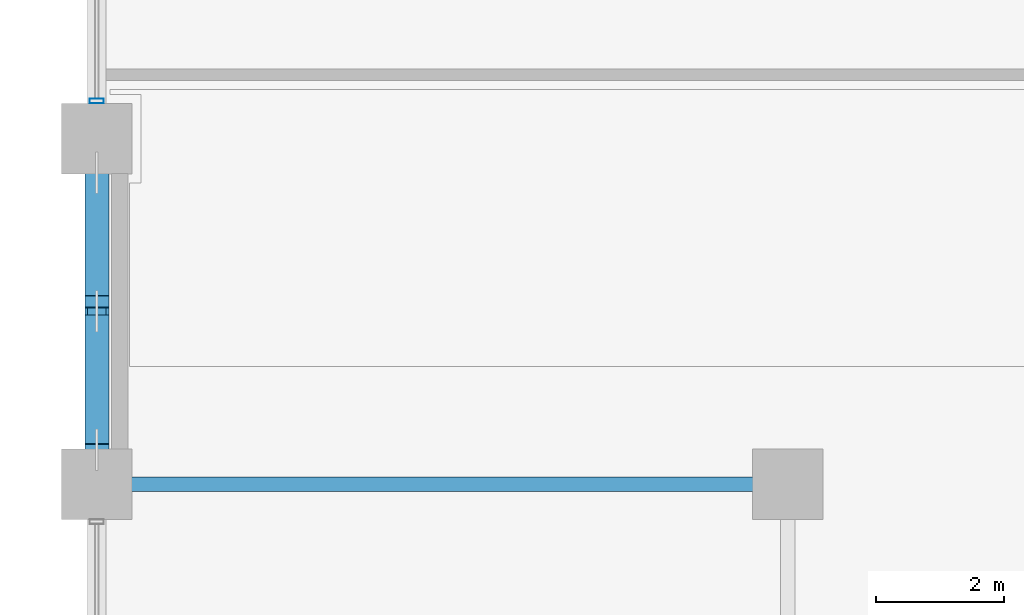
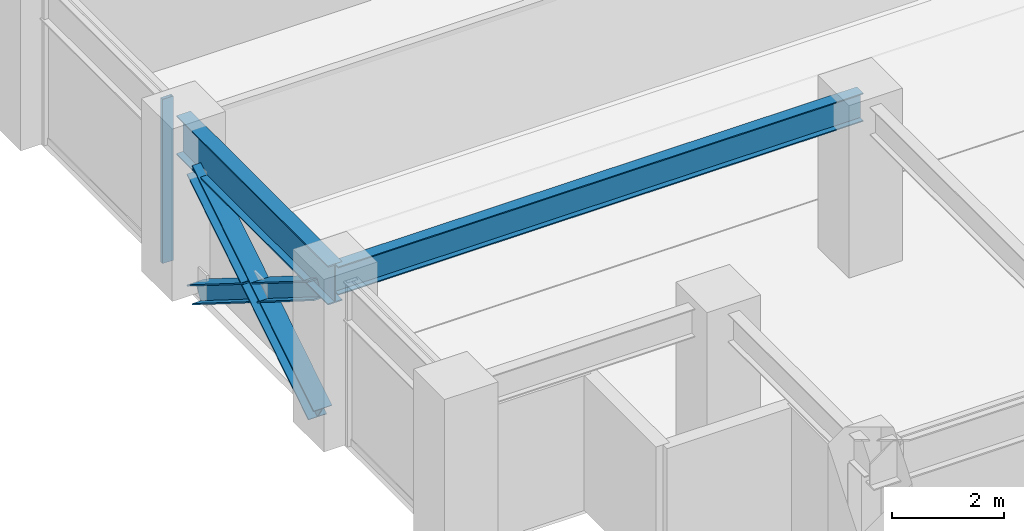
# One storey, part 3 of 24: 4 members, 2 beams, 1 element without a shape of its own.
"""IFC4 building model written with IfcOpenShell, lengths in metres."""

from ifc_helpers import new_model, si_unit, direction, frame, origin, origin_2d, place, context, subcontext, project, spatial, hollow_rectangle, i_section, extrude, material, layer, layer_set, material_profile, profile_set, type_object, element, aggregate, save


model = new_model("IFC4")

# Units and contexts
model_context = context("Model", 3, precision=1e-05, world=origin(), true_north=direction((0.0, 1.0)))
body_context = subcontext(model_context, "Body", "Model", "MODEL_VIEW")
ifc_project = project(units=[si_unit("LENGTHUNIT", "METRE"), si_unit("AREAUNIT", "SQUARE_METRE"), si_unit("VOLUMEUNIT", "CUBIC_METRE"), si_unit("PLANEANGLEUNIT", "RADIAN"), si_unit("MASSUNIT", "GRAM", prefix="KILO")], contexts=[model_context])

# Site, building, storey
site_placement = place(None, origin())
site = spatial("IfcSite", under=ifc_project, at=site_placement, CompositionType="ELEMENT")
building_placement = place(site_placement, origin())
building = spatial("IfcBuilding", under=site, at=building_placement, Name="Surkhivell Harbour Commons", CompositionType="ELEMENT")
storey_placement = place(building_placement, frame((0.0, 0.0, 105.75)))
storey = spatial("IfcBuildingStorey", under=building, at=storey_placement, Name="L27", CompositionType="ELEMENT", Elevation=105.75)

# Beams
ifc_material_1 = material(Name="Steel S355", Category="steel")
ifc_material_profile_1 = material_profile(ifc_material_1, i_section(OverallWidth=0.22998046875, OverallDepth=0.616943359375, WebThickness=0.01318359375, FlangeThickness=0.022216796875, at=origin_2d()), Name="UB610x229x140")
ifc_profile_set_1 = profile_set([ifc_material_profile_1], Name="Steel S355")
beam_type_1 = type_object("IfcBeamType", Name="BM-GRD-610B", PredefinedType="BEAM", material=ifc_profile_set_1)
beam_1_placement = place(storey_placement, frame((-32.39990234375, -16.199951171875, 3.261474609375), z_axis=(1.0, 0.0, 0.0), x_axis=(0.0, 1.0, 0.0)))
element("IfcBeam", 1, at=beam_1_placement, inside=storey, type_object=beam_type_1, Name="L27 Floor Girder (-32.4,-16.2)", PredefinedType="BEAM", context=body_context, shape_type="SweptSolid", body=[
    extrude(i_section(OverallWidth=0.22998046875, OverallDepth=0.616943359375, WebThickness=0.01318359375, FlangeThickness=0.022216796875, at=origin_2d()), origin(), (0.0, 0.0, 1.0), 10.7998046875),
])
ifc_material_2 = material(Name="Steel S460", Category="steel")
ifc_material_profile_2 = material_profile(ifc_material_2, i_section(OverallWidth=0.2939453125, OverallDepth=0.85107421875, WebThickness=0.01611328125, FlangeThickness=0.02685546875, at=origin_2d()), Name="UB838x292x226")
ifc_profile_set_2 = profile_set([ifc_material_profile_2], Name="Steel S460")
beam_type_2 = type_object("IfcBeamType", Name="BM-SPN-838", PredefinedType="SPANDREL", material=ifc_profile_set_2)
beam_2_placement = place(storey_placement, frame((-32.39990234375, -16.199951171875, 3.14453125), z_axis=(0.0, 1.0, 0.0), x_axis=(-1.0, 0.0, 0.0)))
element("IfcBeam", 2, at=beam_2_placement, inside=storey, type_object=beam_type_2, Name="L27 Tube Spandrel (-32.4,-16.2)", PredefinedType="SPANDREL", context=body_context, shape_type="SweptSolid", body=[
    extrude(i_section(OverallWidth=0.2939453125, OverallDepth=0.85107421875, WebThickness=0.01611328125, FlangeThickness=0.02685546875, at=origin_2d()), origin(), (0.0, 0.0, 1.0), 5.39990234375),
])

# Curtain wall, member
ifc_material_3 = material(Name="Anodised pale-metal aluminium and insulated glazing", Category="aluminium")
ifc_layer = layer(ifc_material_3, 0.205078125)
ifc_layer_set = layer_set([ifc_layer], Name="Anodised pale-metal aluminium and insulated glazing")
curtain_wall_type = type_object("IfcCurtainWallType", Name="CW-SYS-Z2", PredefinedType="NOTDEFINED", material=ifc_layer_set)
curtain_wall_placement = place(storey_placement, origin())
curtain_wall = element("IfcCurtainWall", 3, at=curtain_wall_placement, inside=storey, type_object=curtain_wall_type, Name="L27 Curtain Wall CW-L27-E12S1", PredefinedType="NOTDEFINED")
ifc_material_4 = material(Name="Anodised pale-metal aluminium alloy 6063-T6", Category="aluminium")
ifc_material_profile_3 = material_profile(ifc_material_4, hollow_rectangle(XDim=0.074951171875, YDim=0.219970703125, WallThickness=0.00390625, at=origin_2d()), Name="ALU-MULL-75x220")
ifc_profile_set_3 = profile_set([ifc_material_profile_3], Name="Anodised pale-metal aluminium alloy 6063-T6")
member_type_1 = type_object("IfcMemberType", Name="CWM-220", PredefinedType="MULLION", material=ifc_profile_set_3)
member_1_placement = place(storey_placement, frame((-32.39990234375, -10.21044921875, 0.0), z_axis=(0.0, 0.0, 1.0), x_axis=(0.0, -1.0, 0.0)))
member_1 = element("IfcMember", 4, at=member_1_placement, type_object=member_type_1, Name="CW-Z2 mullion 7", PredefinedType="MULLION", context=body_context, shape_type="SweptSolid", body=[
    extrude(hollow_rectangle(XDim=0.074951171875, YDim=0.219970703125, WallThickness=0.00390625, at=origin_2d()), origin(), (0.0, 0.0, 1.0), 3.570068359375),
])
aggregate(curtain_wall, [member_1])

# Members
ifc_material_profile_4 = material_profile(ifc_material_2, i_section(OverallWidth=0.375, OverallDepth=0.375, WebThickness=0.0166015625, FlangeThickness=0.027099609375, at=origin_2d()), Name="UC356x368x202")
ifc_profile_set_4 = profile_set([ifc_material_profile_4], Name="Steel S460")
member_type_2 = type_object("IfcMemberType", Name="MEM-BRC-UC356", PredefinedType="BRACE", material=ifc_profile_set_4)
member_2_placement = place(storey_placement, frame((-32.39990234375, -15.6650390625, 0.008056640625), z_axis=(0.0, 0.847246015888, 0.531200704594), x_axis=(-1.0, 0.0, 0.0)))
element("IfcMember", 5, at=member_2_placement, inside=storey, type_object=member_type_2, Name="L27 Perimeter Mega-Brace MB- 10", PredefinedType="BRACE", context=body_context, shape_type="SweptSolid", body=[
    extrude(i_section(OverallWidth=0.375, OverallDepth=0.375, WebThickness=0.0166015625, FlangeThickness=0.027099609375, at=origin_2d()), origin(), (0.0, 0.0, 1.0), 5.11083984375),
])
member_3_placement = place(storey_placement, frame((-32.39990234375, -11.3349609375, 0.008056640625), z_axis=(0.0, -0.847206308526, 0.53126403115), x_axis=(1.0, 0.0, 0.0)))
element("IfcMember", 6, at=member_3_placement, inside=storey, type_object=member_type_2, Name="L27 Perimeter Mega-Brace MB- 11", PredefinedType="BRACE", context=body_context, shape_type="SweptSolid", body=[
    extrude(i_section(OverallWidth=0.375, OverallDepth=0.375, WebThickness=0.0166015625, FlangeThickness=0.027099609375, at=origin_2d()), origin(), (0.0, 0.0, 1.0), 2.37548828125),
])
member_4_placement = place(storey_placement, frame((-32.39990234375, -13.652587890625, 1.461181640625), z_axis=(0.0, -0.84725256761, 0.53119025469), x_axis=(1.0, 0.0, 0.0)))
element("IfcMember", 7, at=member_4_placement, inside=storey, type_object=member_type_2, Name="L27 Perimeter Mega-Brace MB- 12", PredefinedType="BRACE", context=body_context, shape_type="SweptSolid", body=[
    extrude(i_section(OverallWidth=0.375, OverallDepth=0.375, WebThickness=0.0166015625, FlangeThickness=0.027099609375, at=origin_2d()), origin(), (0.0, 0.0, 1.0), 2.375244140625),
])

save(model, "model.ifc")
